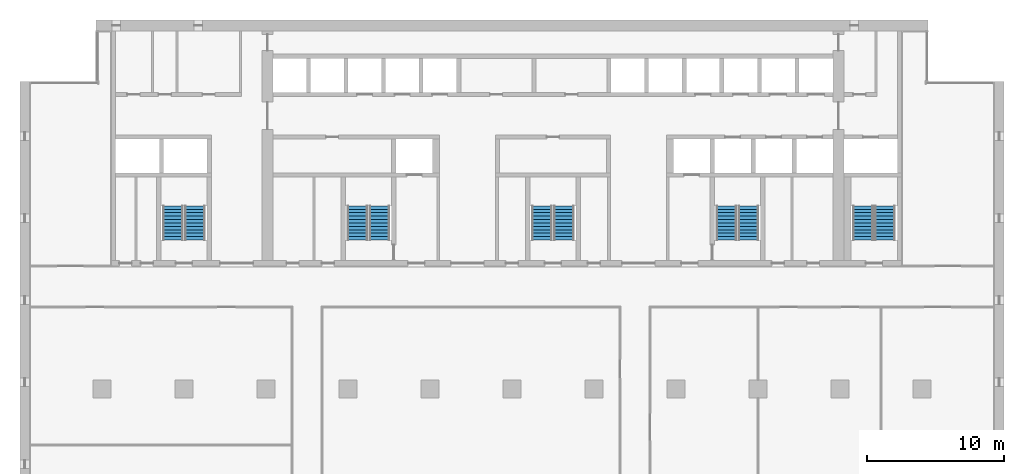
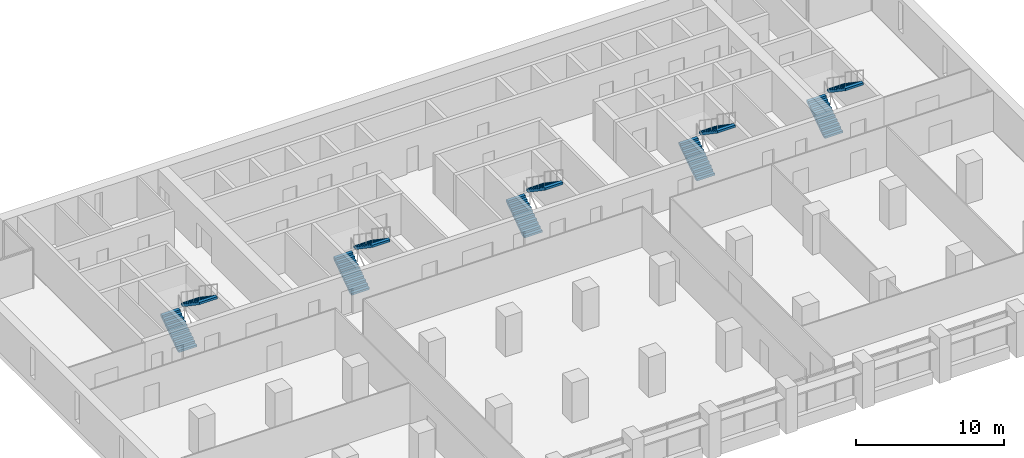
# One storey, part 12 of 15: 10 stair flights, 5 elements without a shape of their own.
"""IFC4 building model written with IfcOpenShell, lengths in metres."""

from ifc_helpers import new_model, si_unit, direction, frame, origin, place, context, subcontext, project, spatial, polyline, outline, extrude, material, type_object, element, aggregate, save


model = new_model("IFC4")

# Units and contexts
model_context = context("Model", 3, precision=1e-05, world=origin(), true_north=direction((0.0, 1.0)))
body_context = subcontext(model_context, "Body", "Model", "MODEL_VIEW")
ifc_project = project(units=[si_unit("LENGTHUNIT", "METRE"), si_unit("AREAUNIT", "SQUARE_METRE"), si_unit("VOLUMEUNIT", "CUBIC_METRE"), si_unit("PLANEANGLEUNIT", "RADIAN"), si_unit("MASSUNIT", "GRAM", prefix="KILO")], contexts=[model_context])

# Site, building, storey
site_placement = place(None, origin())
site = spatial("IfcSite", under=ifc_project, at=site_placement, CompositionType="ELEMENT")
building_placement = place(site_placement, origin())
building = spatial("IfcBuilding", under=site, at=building_placement, Name="Calvaro Tower", CompositionType="ELEMENT")
storey_placement = place(building_placement, frame((0.0, 0.0, 132.5)))
storey = spatial("IfcBuildingStorey", under=building, at=storey_placement, Name="L33", CompositionType="ELEMENT", Elevation=132.5)

# Stair, stair flights
ifc_material_1 = material(Name="Concrete C40/50", Category="concrete")
stair_type = type_object("IfcStairType", Name="Exit stair 1400 2 flights", PredefinedType="HALF_TURN_STAIR", material=ifc_material_1)
stair_1_placement = place(storey_placement, origin())
stair_1 = element("IfcStair", 1, at=stair_1_placement, inside=storey, type_object=stair_type, Name="Exit stair S1", PredefinedType="HALF_TURN_STAIR")
ifc_material_2 = material(Name="Concrete C40/50", Category="concrete")
stair_flight_type = type_object("IfcStairFlightType", Name="Stair flight", PredefinedType="STRAIGHT", material=ifc_material_2)
stair_flight_1_placement = place(storey_placement, frame((11.199951171875, 29.89990234375, 0.0), z_axis=(0.0, 0.0, 1.0), x_axis=(0.0, 1.0, 0.0)))
stair_flight_1 = element("IfcStairFlight", 2, at=stair_flight_1_placement, type_object=stair_flight_type, Name="Exit stair 1, flight 1", NumberOfRisers=11, NumberOfTreads=10, PredefinedType="STRAIGHT", RiserHeight=0.170454545, TreadLength=0.25, context=body_context, shape_type="SweptSolid", body=[
    extrude(outline(polyline([(0.0, 0.0), (0.0, 0.17041015625), (0.25, 0.17041015625), (0.25, 0.3408203125), (0.5, 0.3408203125), (0.5, 0.511474609375), (0.75, 0.511474609375), (0.75, 0.681884765625), (1.0, 0.681884765625), (1.0, 0.852294921875), (1.25, 0.852294921875), (1.25, 1.022705078125), (1.5, 1.022705078125), (1.5, 1.193115234375), (1.75, 1.193115234375), (1.75, 1.363525390625), (2.0, 1.363525390625), (2.0, 1.5341796875), (2.25, 1.5341796875), (2.25, 1.70458984375), (2.5, 1.70458984375), (2.5, 1.875), (2.5, 1.523193359375), (0.26611328125, 0.0), (0.0, 0.0)])), frame((0.0, 0.699951171875, 0.0), z_axis=(0.0, -1.0, 0.0), x_axis=(1.0, 0.0, 0.0)), (0.0, 0.0, 1.0), 1.39990234375),
])
stair_flight_2_placement = place(storey_placement, frame((12.800048828125, 32.39990234375, 1.875), z_axis=(0.0, 0.0, 1.0), x_axis=(0.0, -1.0, 0.0)))
stair_flight_2 = element("IfcStairFlight", 3, at=stair_flight_2_placement, type_object=stair_flight_type, Name="Exit stair 1, flight 2", NumberOfRisers=11, NumberOfTreads=10, PredefinedType="STRAIGHT", RiserHeight=0.170454545, TreadLength=0.25, context=body_context, shape_type="SweptSolid", body=[
    extrude(outline(polyline([(0.0, 0.0), (0.0, 0.17041015625), (0.25, 0.17041015625), (0.25, 0.3408203125), (0.5, 0.3408203125), (0.5, 0.511474609375), (0.75, 0.511474609375), (0.75, 0.681884765625), (1.0, 0.681884765625), (1.0, 0.852294921875), (1.25, 0.852294921875), (1.25, 1.022705078125), (1.5, 1.022705078125), (1.5, 1.193115234375), (1.75, 1.193115234375), (1.75, 1.363525390625), (2.0, 1.363525390625), (2.0, 1.5341796875), (2.25, 1.5341796875), (2.25, 1.70458984375), (2.5, 1.70458984375), (2.5, 1.875), (2.5, 1.523193359375), (0.26611328125, 0.0), (0.0, 0.0)])), frame((0.0, 0.699951171875, 0.0), z_axis=(0.0, -1.0, 0.0), x_axis=(1.0, 0.0, 0.0)), (0.0, 0.0, 1.0), 1.39990234375),
])
aggregate(stair_1, [stair_flight_1, stair_flight_2])

stair_2_placement = place(storey_placement, origin())
stair_2 = element("IfcStair", 4, at=stair_2_placement, inside=storey, type_object=stair_type, Name="Exit stair S2", PredefinedType="HALF_TURN_STAIR")
stair_flight_3_placement = place(storey_placement, frame((24.699951171875, 29.89990234375, 0.0), z_axis=(0.0, 0.0, 1.0), x_axis=(0.0, 1.0, 0.0)))
stair_flight_3 = element("IfcStairFlight", 5, at=stair_flight_3_placement, type_object=stair_flight_type, Name="Exit stair 2, flight 1", NumberOfRisers=11, NumberOfTreads=10, PredefinedType="STRAIGHT", RiserHeight=0.170454545, TreadLength=0.25, context=body_context, shape_type="SweptSolid", body=[
    extrude(outline(polyline([(0.0, 0.0), (0.0, 0.17041015625), (0.25, 0.17041015625), (0.25, 0.3408203125), (0.5, 0.3408203125), (0.5, 0.511474609375), (0.75, 0.511474609375), (0.75, 0.681884765625), (1.0, 0.681884765625), (1.0, 0.852294921875), (1.25, 0.852294921875), (1.25, 1.022705078125), (1.5, 1.022705078125), (1.5, 1.193115234375), (1.75, 1.193115234375), (1.75, 1.363525390625), (2.0, 1.363525390625), (2.0, 1.5341796875), (2.25, 1.5341796875), (2.25, 1.70458984375), (2.5, 1.70458984375), (2.5, 1.875), (2.5, 1.523193359375), (0.26611328125, 0.0), (0.0, 0.0)])), frame((0.0, 0.699951171875, 0.0), z_axis=(0.0, -1.0, 0.0), x_axis=(1.0, 0.0, 0.0)), (0.0, 0.0, 1.0), 1.39990234375),
])
stair_flight_4_placement = place(storey_placement, frame((26.300048828125, 32.39990234375, 1.875), z_axis=(0.0, 0.0, 1.0), x_axis=(0.0, -1.0, 0.0)))
stair_flight_4 = element("IfcStairFlight", 6, at=stair_flight_4_placement, type_object=stair_flight_type, Name="Exit stair 2, flight 2", NumberOfRisers=11, NumberOfTreads=10, PredefinedType="STRAIGHT", RiserHeight=0.170454545, TreadLength=0.25, context=body_context, shape_type="SweptSolid", body=[
    extrude(outline(polyline([(0.0, 0.0), (0.0, 0.17041015625), (0.25, 0.17041015625), (0.25, 0.3408203125), (0.5, 0.3408203125), (0.5, 0.511474609375), (0.75, 0.511474609375), (0.75, 0.681884765625), (1.0, 0.681884765625), (1.0, 0.852294921875), (1.25, 0.852294921875), (1.25, 1.022705078125), (1.5, 1.022705078125), (1.5, 1.193115234375), (1.75, 1.193115234375), (1.75, 1.363525390625), (2.0, 1.363525390625), (2.0, 1.5341796875), (2.25, 1.5341796875), (2.25, 1.70458984375), (2.5, 1.70458984375), (2.5, 1.875), (2.5, 1.523193359375), (0.26611328125, 0.0), (0.0, 0.0)])), frame((0.0, 0.699951171875, 0.0), z_axis=(0.0, -1.0, 0.0), x_axis=(1.0, 0.0, 0.0)), (0.0, 0.0, 1.0), 1.39990234375),
])
aggregate(stair_2, [stair_flight_3, stair_flight_4])

stair_3_placement = place(storey_placement, origin())
stair_3 = element("IfcStair", 7, at=stair_3_placement, inside=storey, type_object=stair_type, Name="Exit stair S3", PredefinedType="HALF_TURN_STAIR")
stair_flight_5_placement = place(storey_placement, frame((38.199951171875, 29.89990234375, 0.0), z_axis=(0.0, 0.0, 1.0), x_axis=(0.0, 1.0, 0.0)))
stair_flight_5 = element("IfcStairFlight", 8, at=stair_flight_5_placement, type_object=stair_flight_type, Name="Exit stair 3, flight 1", NumberOfRisers=11, NumberOfTreads=10, PredefinedType="STRAIGHT", RiserHeight=0.170454545, TreadLength=0.25, context=body_context, shape_type="SweptSolid", body=[
    extrude(outline(polyline([(0.0, 0.0), (0.0, 0.17041015625), (0.25, 0.17041015625), (0.25, 0.3408203125), (0.5, 0.3408203125), (0.5, 0.511474609375), (0.75, 0.511474609375), (0.75, 0.681884765625), (1.0, 0.681884765625), (1.0, 0.852294921875), (1.25, 0.852294921875), (1.25, 1.022705078125), (1.5, 1.022705078125), (1.5, 1.193115234375), (1.75, 1.193115234375), (1.75, 1.363525390625), (2.0, 1.363525390625), (2.0, 1.5341796875), (2.25, 1.5341796875), (2.25, 1.70458984375), (2.5, 1.70458984375), (2.5, 1.875), (2.5, 1.523193359375), (0.26611328125, 0.0), (0.0, 0.0)])), frame((0.0, 0.699951171875, 0.0), z_axis=(0.0, -1.0, 0.0), x_axis=(1.0, 0.0, 0.0)), (0.0, 0.0, 1.0), 1.39990234375),
])
stair_flight_6_placement = place(storey_placement, frame((39.800048828125, 32.39990234375, 1.875), z_axis=(0.0, 0.0, 1.0), x_axis=(0.0, -1.0, 0.0)))
stair_flight_6 = element("IfcStairFlight", 9, at=stair_flight_6_placement, type_object=stair_flight_type, Name="Exit stair 3, flight 2", NumberOfRisers=11, NumberOfTreads=10, PredefinedType="STRAIGHT", RiserHeight=0.170454545, TreadLength=0.25, context=body_context, shape_type="SweptSolid", body=[
    extrude(outline(polyline([(0.0, 0.0), (0.0, 0.17041015625), (0.25, 0.17041015625), (0.25, 0.3408203125), (0.5, 0.3408203125), (0.5, 0.511474609375), (0.75, 0.511474609375), (0.75, 0.681884765625), (1.0, 0.681884765625), (1.0, 0.852294921875), (1.25, 0.852294921875), (1.25, 1.022705078125), (1.5, 1.022705078125), (1.5, 1.193115234375), (1.75, 1.193115234375), (1.75, 1.363525390625), (2.0, 1.363525390625), (2.0, 1.5341796875), (2.25, 1.5341796875), (2.25, 1.70458984375), (2.5, 1.70458984375), (2.5, 1.875), (2.5, 1.523193359375), (0.26611328125, 0.0), (0.0, 0.0)])), frame((0.0, 0.699951171875, 0.0), z_axis=(0.0, -1.0, 0.0), x_axis=(1.0, 0.0, 0.0)), (0.0, 0.0, 1.0), 1.39990234375),
])
aggregate(stair_3, [stair_flight_5, stair_flight_6])

stair_4_placement = place(storey_placement, origin())
stair_4 = element("IfcStair", 10, at=stair_4_placement, inside=storey, type_object=stair_type, Name="Exit stair S4", PredefinedType="HALF_TURN_STAIR")
stair_flight_7_placement = place(storey_placement, frame((51.699951171875, 29.89990234375, 0.0), z_axis=(0.0, 0.0, 1.0), x_axis=(0.0, 1.0, 0.0)))
stair_flight_7 = element("IfcStairFlight", 11, at=stair_flight_7_placement, type_object=stair_flight_type, Name="Exit stair 4, flight 1", NumberOfRisers=11, NumberOfTreads=10, PredefinedType="STRAIGHT", RiserHeight=0.170454545, TreadLength=0.25, context=body_context, shape_type="SweptSolid", body=[
    extrude(outline(polyline([(0.0, 0.0), (0.0, 0.17041015625), (0.25, 0.17041015625), (0.25, 0.3408203125), (0.5, 0.3408203125), (0.5, 0.511474609375), (0.75, 0.511474609375), (0.75, 0.681884765625), (1.0, 0.681884765625), (1.0, 0.852294921875), (1.25, 0.852294921875), (1.25, 1.022705078125), (1.5, 1.022705078125), (1.5, 1.193115234375), (1.75, 1.193115234375), (1.75, 1.363525390625), (2.0, 1.363525390625), (2.0, 1.5341796875), (2.25, 1.5341796875), (2.25, 1.70458984375), (2.5, 1.70458984375), (2.5, 1.875), (2.5, 1.523193359375), (0.26611328125, 0.0), (0.0, 0.0)])), frame((0.0, 0.699951171875, 0.0), z_axis=(0.0, -1.0, 0.0), x_axis=(1.0, 0.0, 0.0)), (0.0, 0.0, 1.0), 1.39990234375),
])
stair_flight_8_placement = place(storey_placement, frame((53.300048828125, 32.39990234375, 1.875), z_axis=(0.0, 0.0, 1.0), x_axis=(0.0, -1.0, 0.0)))
stair_flight_8 = element("IfcStairFlight", 12, at=stair_flight_8_placement, type_object=stair_flight_type, Name="Exit stair 4, flight 2", NumberOfRisers=11, NumberOfTreads=10, PredefinedType="STRAIGHT", RiserHeight=0.170454545, TreadLength=0.25, context=body_context, shape_type="SweptSolid", body=[
    extrude(outline(polyline([(0.0, 0.0), (0.0, 0.17041015625), (0.25, 0.17041015625), (0.25, 0.3408203125), (0.5, 0.3408203125), (0.5, 0.511474609375), (0.75, 0.511474609375), (0.75, 0.681884765625), (1.0, 0.681884765625), (1.0, 0.852294921875), (1.25, 0.852294921875), (1.25, 1.022705078125), (1.5, 1.022705078125), (1.5, 1.193115234375), (1.75, 1.193115234375), (1.75, 1.363525390625), (2.0, 1.363525390625), (2.0, 1.5341796875), (2.25, 1.5341796875), (2.25, 1.70458984375), (2.5, 1.70458984375), (2.5, 1.875), (2.5, 1.523193359375), (0.26611328125, 0.0), (0.0, 0.0)])), frame((0.0, 0.699951171875, 0.0), z_axis=(0.0, -1.0, 0.0), x_axis=(1.0, 0.0, 0.0)), (0.0, 0.0, 1.0), 1.39990234375),
])
aggregate(stair_4, [stair_flight_7, stair_flight_8])

stair_5_placement = place(storey_placement, origin())
stair_5 = element("IfcStair", 13, at=stair_5_placement, inside=storey, type_object=stair_type, Name="Exit stair S5", PredefinedType="HALF_TURN_STAIR")
stair_flight_9_placement = place(storey_placement, frame((61.699951171875, 29.89990234375, 0.0), z_axis=(0.0, 0.0, 1.0), x_axis=(0.0, 1.0, 0.0)))
stair_flight_9 = element("IfcStairFlight", 14, at=stair_flight_9_placement, type_object=stair_flight_type, Name="Exit stair 5, flight 1", NumberOfRisers=11, NumberOfTreads=10, PredefinedType="STRAIGHT", RiserHeight=0.170454545, TreadLength=0.25, context=body_context, shape_type="SweptSolid", body=[
    extrude(outline(polyline([(0.0, 0.0), (0.0, 0.17041015625), (0.25, 0.17041015625), (0.25, 0.3408203125), (0.5, 0.3408203125), (0.5, 0.511474609375), (0.75, 0.511474609375), (0.75, 0.681884765625), (1.0, 0.681884765625), (1.0, 0.852294921875), (1.25, 0.852294921875), (1.25, 1.022705078125), (1.5, 1.022705078125), (1.5, 1.193115234375), (1.75, 1.193115234375), (1.75, 1.363525390625), (2.0, 1.363525390625), (2.0, 1.5341796875), (2.25, 1.5341796875), (2.25, 1.70458984375), (2.5, 1.70458984375), (2.5, 1.875), (2.5, 1.523193359375), (0.26611328125, 0.0), (0.0, 0.0)])), frame((0.0, 0.699951171875, 0.0), z_axis=(0.0, -1.0, 0.0), x_axis=(1.0, 0.0, 0.0)), (0.0, 0.0, 1.0), 1.39990234375),
])
stair_flight_10_placement = place(storey_placement, frame((63.300048828125, 32.39990234375, 1.875), z_axis=(0.0, 0.0, 1.0), x_axis=(0.0, -1.0, 0.0)))
stair_flight_10 = element("IfcStairFlight", 15, at=stair_flight_10_placement, type_object=stair_flight_type, Name="Exit stair 5, flight 2", NumberOfRisers=11, NumberOfTreads=10, PredefinedType="STRAIGHT", RiserHeight=0.170454545, TreadLength=0.25, context=body_context, shape_type="SweptSolid", body=[
    extrude(outline(polyline([(0.0, 0.0), (0.0, 0.17041015625), (0.25, 0.17041015625), (0.25, 0.3408203125), (0.5, 0.3408203125), (0.5, 0.511474609375), (0.75, 0.511474609375), (0.75, 0.681884765625), (1.0, 0.681884765625), (1.0, 0.852294921875), (1.25, 0.852294921875), (1.25, 1.022705078125), (1.5, 1.022705078125), (1.5, 1.193115234375), (1.75, 1.193115234375), (1.75, 1.363525390625), (2.0, 1.363525390625), (2.0, 1.5341796875), (2.25, 1.5341796875), (2.25, 1.70458984375), (2.5, 1.70458984375), (2.5, 1.875), (2.5, 1.523193359375), (0.26611328125, 0.0), (0.0, 0.0)])), frame((0.0, 0.699951171875, 0.0), z_axis=(0.0, -1.0, 0.0), x_axis=(1.0, 0.0, 0.0)), (0.0, 0.0, 1.0), 1.39990234375),
])
aggregate(stair_5, [stair_flight_9, stair_flight_10])

save(model, "model.ifc")
